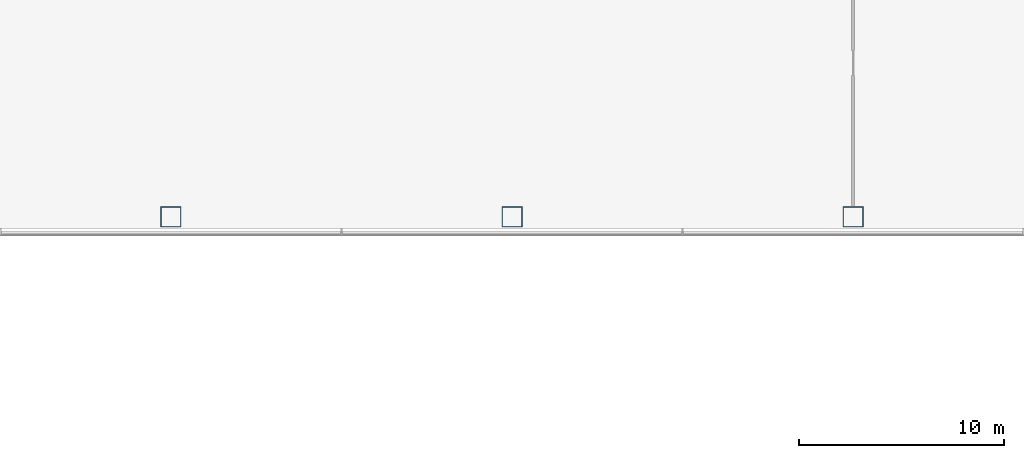
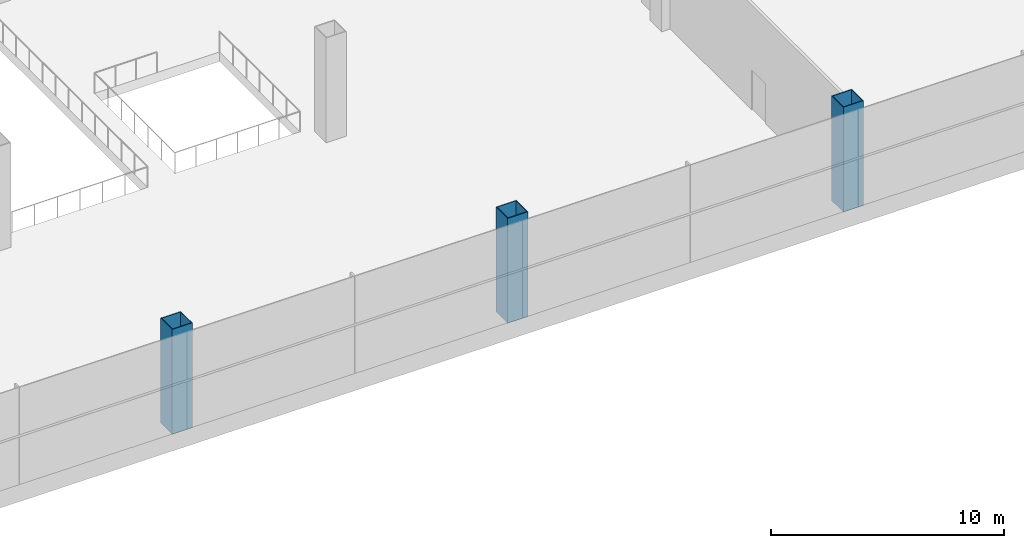
# One storey, part 9 of 100: 3 columns.
"""IFC4 building model written with IfcOpenShell, lengths in metres."""

from ifc_helpers import new_model, si_unit, direction, frame, origin, origin_2d, place, context, subcontext, project, spatial, hollow_rectangle, extrude, material, material_profile, profile_set, type_object, element, save


model = new_model("IFC4")

# Units and contexts
model_context = context("Model", 3, precision=1e-05, world=origin(), true_north=direction((0.0, 1.0)))
body_context = subcontext(model_context, "Body", "Model", "MODEL_VIEW")
ifc_project = project(units=[si_unit("LENGTHUNIT", "METRE"), si_unit("AREAUNIT", "SQUARE_METRE"), si_unit("VOLUMEUNIT", "CUBIC_METRE"), si_unit("PLANEANGLEUNIT", "RADIAN"), si_unit("MASSUNIT", "GRAM", prefix="KILO")], contexts=[model_context])

# Site, building, storey
site_placement = place(None, origin())
site = spatial("IfcSite", under=ifc_project, at=site_placement, CompositionType="ELEMENT")
building_placement = place(site_placement, origin())
building = spatial("IfcBuilding", under=site, at=building_placement, Name="Hakoniwa Tower and Hamabe Station Hall", CompositionType="ELEMENT")
storey_placement = place(building_placement, frame((0.0, 0.0, 9.0)))
storey = spatial("IfcBuildingStorey", under=building, at=storey_placement, Name="L02", CompositionType="ELEMENT", Elevation=9.0)

# Columns
ifc_material = material(Name="Steel BCP325", Category="steel")
ifc_material_profile = material_profile(ifc_material, hollow_rectangle(XDim=1.0, YDim=1.0, WallThickness=0.035888671875, at=origin_2d()), Name="STATION BOX COLUMN 1000X1000X36")
ifc_profile_set = profile_set([ifc_material_profile], Name="Steel BCP325")
column_type = type_object("IfcColumnType", Name="STATION BOX COLUMN 1000X1000X36", PredefinedType="COLUMN", material=ifc_profile_set)
for number, where, z_axis, x_axis, name in (
    (1, (110.909912109375, -23.39990234375, 0.0), (0.0, 0.0, 1.0), (1.0, 0.0, 0.0), "Station column S4A"),
    (2, (127.550048828125, -23.39990234375, 0.0), (0.0, 0.0, 1.0), (1.0, 0.0, 0.0), "Station column S6A"),
    (3, (144.18994140625, -23.39990234375, 0.0), (0.0, 0.0, 1.0), (1.0, 0.0, 0.0), "Station column S8A"),
):
    element("IfcColumn", number, at=place(storey_placement, frame(where, z_axis=z_axis, x_axis=x_axis)), inside=storey, type_object=column_type, Name=name, PredefinedType="COLUMN", context=body_context, shape_type="SweptSolid", body=[
        extrude(hollow_rectangle(XDim=1.0, YDim=1.0, WallThickness=0.035888671875, at=origin_2d()), origin(), (0.0, 0.0, 1.0), 5.5),
    ])

save(model, "model.ifc")
